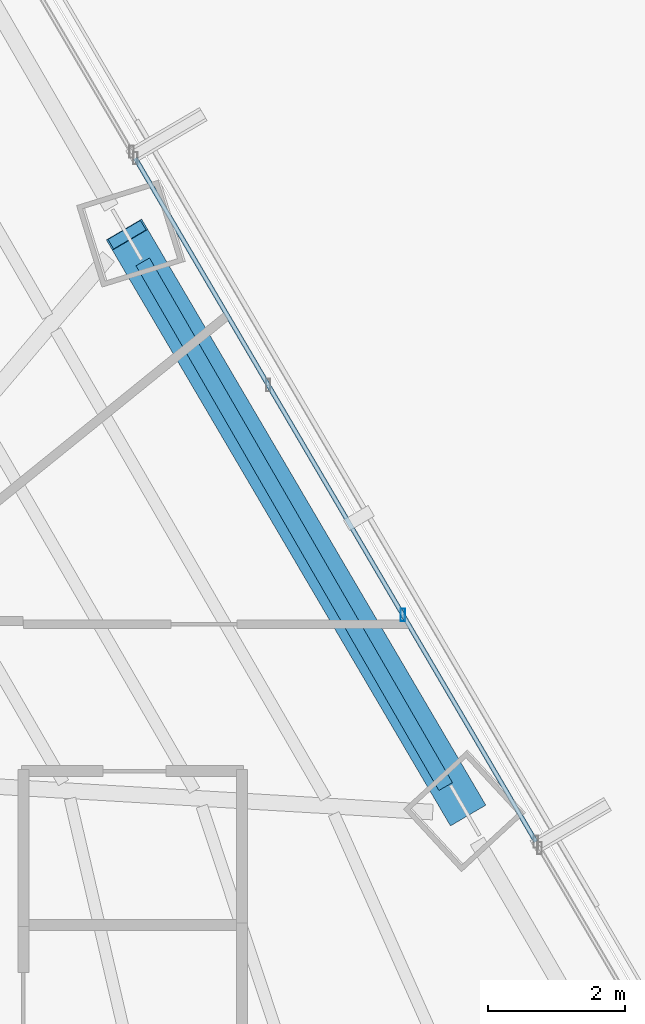
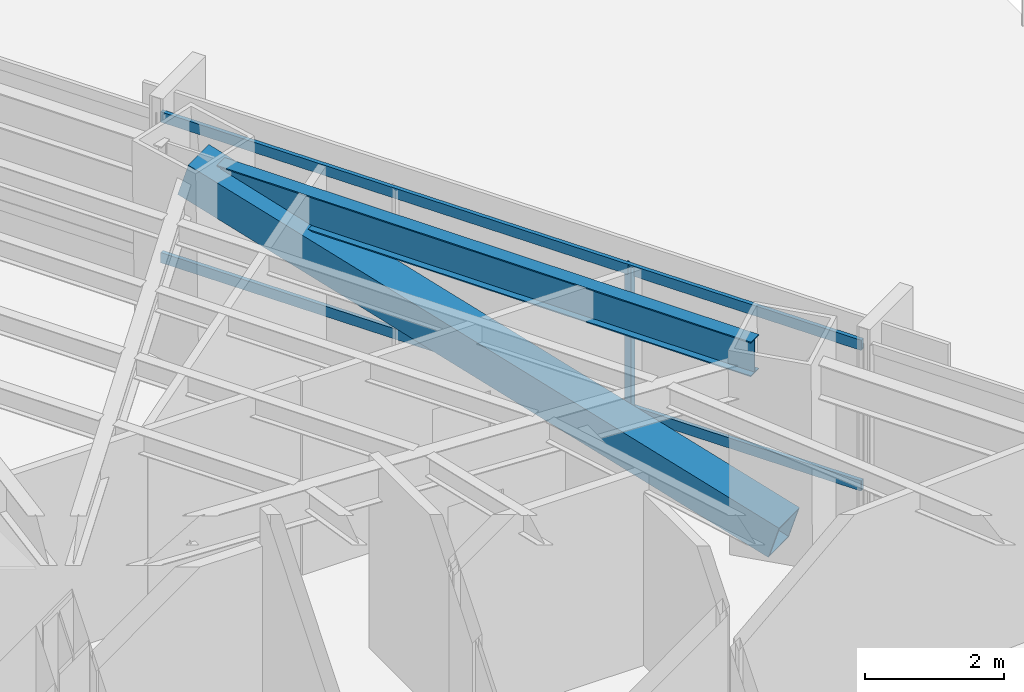
# One storey, part 17 of 35: 4 members, 1 beam, 1 element without a shape of its own.
"""IFC4 building model written with IfcOpenShell, lengths in metres."""

from ifc_helpers import new_model, si_unit, direction, frame, origin, origin_2d, place, context, subcontext, project, spatial, hollow_rectangle, i_section, extrude, source, transform, mapped, material, material_profile, profile_set, type_object, type_shapes, element, aggregate, save


model = new_model("IFC4")

# Units and contexts
model_context = context("Model", 3, precision=1e-05, world=origin(), true_north=direction((0.0, 1.0)))
body_context = subcontext(model_context, "Body", "Model", "MODEL_VIEW")
ifc_project = project(units=[si_unit("LENGTHUNIT", "METRE"), si_unit("AREAUNIT", "SQUARE_METRE"), si_unit("VOLUMEUNIT", "CUBIC_METRE"), si_unit("PLANEANGLEUNIT", "RADIAN"), si_unit("MASSUNIT", "GRAM", prefix="KILO")], contexts=[model_context])

# Site, building, storey
site_placement = place(None, origin())
site = spatial("IfcSite", under=ifc_project, at=site_placement, CompositionType="ELEMENT")
building_placement = place(site_placement, origin())
building = spatial("IfcBuilding", under=site, at=building_placement, Name="Caelisora Broadcast Tower", CompositionType="ELEMENT")
storey_placement = place(building_placement, frame((0.0, 0.0, 27.60009765625)))
storey = spatial("IfcBuildingStorey", under=building, at=storey_placement, Name="L06", CompositionType="ELEMENT", Elevation=27.60009765625)

# Beam
ifc_material_1 = material(Name="Steel Grade 350 (AS/NZS 3679.1)", Category="steel")
ifc_material_profile_1 = material_profile(ifc_material_1, i_section(OverallWidth=0.22900390625, OverallDepth=0.611572265625, WebThickness=0.011962890625, FlangeThickness=0.01953125, at=origin_2d()), Name="Steel Grade 350 (AS/NZS 3679.1)")
ifc_profile_set_1 = profile_set([ifc_material_profile_1], Name="Steel Grade 350 (AS/NZS 3679.1)")
beam_type = type_object("IfcBeamType", Name="PG03", PredefinedType="BEAM", material=ifc_profile_set_1)
shared_shape_1 = source(origin(), body_context, "Body", "SweptSolid", [
    extrude(i_section(OverallWidth=0.22900390625, OverallDepth=0.611572265625, WebThickness=0.011962890625, FlangeThickness=0.01953125, at=origin_2d()), origin(), (0.0, 0.0, 1.0), 8.867431640625),
])
type_shapes(beam_type, [shared_shape_1])
beam_placement = place(storey_placement, frame((56.781982421875, 29.72412109375, 3.093994140625), z_axis=(-0.500009235922, 0.866020071357, 0.0), x_axis=(-0.866020071357, -0.500009235922, 0.0)))
element("IfcBeam", 1, at=beam_placement, inside=storey, type_object=beam_type, Name="L06 beam PG03", PredefinedType="BEAM", context=body_context, shape_type="MappedRepresentation", body=[
    mapped(shared_shape_1, transform((0.0, 0.0, 0.0), scale=1.0)),
])

# Member
ifc_material_2 = material(Name="Steel Grade 450 L15 (AS/NZS 3678)", Category="steel")
ifc_material_profile_2 = material_profile(ifc_material_2, hollow_rectangle(XDim=0.60009765625, YDim=0.60009765625, WallThickness=0.02490234375, at=origin_2d()), Name="Steel Grade 450 L15 (AS/NZS 3678)")
ifc_profile_set_2 = profile_set([ifc_material_profile_2], Name="Steel Grade 450 L15 (AS/NZS 3678)")
member_type_1 = type_object("IfcMemberType", Name="BR01", PredefinedType="BRACE", material=ifc_profile_set_2)
shared_shape_2 = source(origin(), body_context, "Body", "SweptSolid", [
    extrude(hollow_rectangle(XDim=0.60009765625, YDim=0.60009765625, WallThickness=0.02490234375, at=origin_2d()), origin(), (0.0, 0.0, 1.0), 10.2216796875),
])
type_shapes(member_type_1, [shared_shape_2])
member_1_placement = place(storey_placement, frame((57.06640625, 29.3759765625, 0.099853515625), z_axis=(-0.484092240126, 0.824327781896, 0.29349345997), x_axis=(-0.862302658574, -0.506393251354, 0.0)))
element("IfcMember", 2, at=member_1_placement, inside=storey, type_object=member_type_1, Name="L06 perimeter brace BR01", PredefinedType="BRACE", context=body_context, shape_type="MappedRepresentation", body=[
    mapped(shared_shape_2, transform((0.0, 0.0, 0.0), scale=1.0)),
])

# Curtain wall, members
ifc_material_3 = material(Name="Unitised Aluminium Insulated Shadow-Box Spandrel Curtain Wall", Category="aluminium")
curtain_wall_type = type_object("IfcCurtainWallType", Name="CW-SP1", PredefinedType="NOTDEFINED", material=ifc_material_3)
curtain_wall_placement = place(storey_placement, origin())
curtain_wall = element("IfcCurtainWall", 3, at=curtain_wall_placement, inside=storey, type_object=curtain_wall_type, Name="L06 curtain wall CW-SP1", PredefinedType="NOTDEFINED")
ifc_material_4 = material(Name="Aluminium 6063-T6 Anodised Terracotta Bronze", Category="aluminium")
ifc_material_profile_3 = material_profile(ifc_material_4, hollow_rectangle(XDim=0.06494140625, YDim=0.179931640625, WallThickness=0.00341796875, at=origin_2d()), Name="Aluminium 6063-T6 Anodised Terracotta Bronze")
ifc_profile_set_3 = profile_set([ifc_material_profile_3], Name="Aluminium 6063-T6 Anodised Terracotta Bronze")
member_type_2 = type_object("IfcMemberType", Name="CWM-02", PredefinedType="MULLION", material=ifc_profile_set_3)
shared_shape_3 = source(origin(), body_context, "Body", "SweptSolid", [
    extrude(hollow_rectangle(XDim=0.06494140625, YDim=0.179931640625, WallThickness=0.00341796875, at=origin_2d()), origin(), (0.0, 0.0, 1.0), 3.39990234375),
])
type_shapes(member_type_2, [shared_shape_3])
member_2_placement = place(storey_placement, frame((56.15625, 32.23681640625, 0.0), z_axis=(0.0, 0.0, 1.0), x_axis=(1.0, 0.0, 0.0)))
member_2 = element("IfcMember", 4, at=member_2_placement, type_object=member_type_2, Name="L06-CW-B02 mullion #2", PredefinedType="MULLION", context=body_context, shape_type="MappedRepresentation", body=[
    mapped(shared_shape_3, transform((0.0, 0.0, 0.0), scale=1.0)),
])
ifc_material_profile_4 = material_profile(ifc_material_4, hollow_rectangle(XDim=0.06494140625, YDim=0.179931640625, WallThickness=0.00341796875, at=origin_2d()), Name="Aluminium 6063-T6 Anodised Terracotta Bronze")
ifc_profile_set_4 = profile_set([ifc_material_profile_4], Name="Aluminium 6063-T6 Anodised Terracotta Bronze")
member_type_3 = type_object("IfcMemberType", Name="CWT-01", PredefinedType="USERDEFINED", material=ifc_profile_set_4)
shared_shape_4 = source(origin(), body_context, "Body", "SweptSolid", [
    extrude(hollow_rectangle(XDim=0.06494140625, YDim=0.179931640625, WallThickness=0.00341796875, at=origin_2d()), origin(), (0.0, 0.0, 1.0), 11.5947265625),
])
type_shapes(member_type_3, [shared_shape_4])
member_3_placement = place(storey_placement, frame((52.239501953125, 38.919921875, 0.849853515625), z_axis=(0.505621687781, -0.862755300676, 0.0), x_axis=(0.862755300676, 0.505621687781, 0.0)))
member_3 = element("IfcMember", 5, at=member_3_placement, type_object=member_type_3, Name="L06-CW-B02 transom #1", ObjectType="TRANSOM", PredefinedType="USERDEFINED", context=body_context, shape_type="MappedRepresentation", body=[
    mapped(shared_shape_4, transform((0.0, 0.0, 0.0), scale=1.0)),
])
member_4_placement = place(storey_placement, frame((52.239501953125, 38.919921875, 3.31982421875), z_axis=(0.505621687781, -0.862755300676, 0.0), x_axis=(0.862755300676, 0.505621687781, 0.0)))
member_4 = element("IfcMember", 6, at=member_4_placement, type_object=member_type_3, Name="L06-CW-B02 transom #2", ObjectType="TRANSOM", PredefinedType="USERDEFINED", context=body_context, shape_type="MappedRepresentation", body=[
    mapped(shared_shape_4, transform((0.0, 0.0, 0.0), scale=1.0)),
])
aggregate(curtain_wall, [member_2, member_3, member_4])

save(model, "model.ifc")
